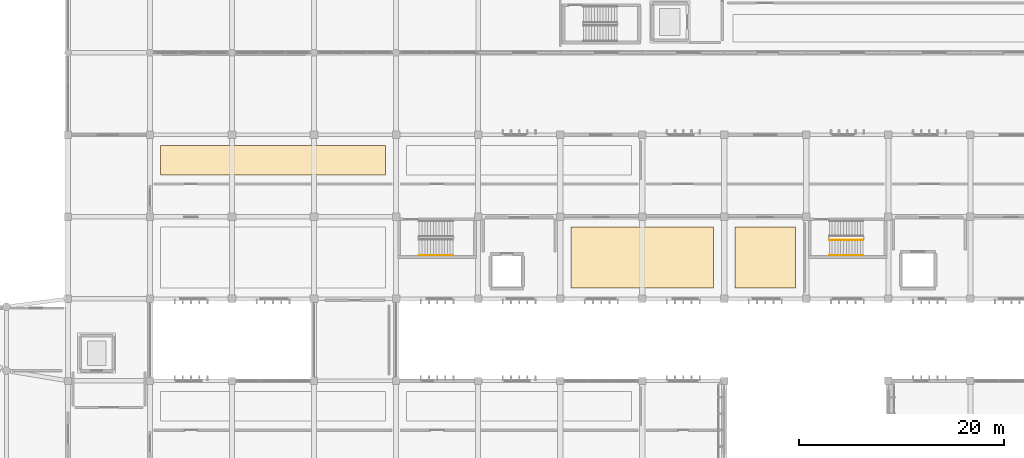
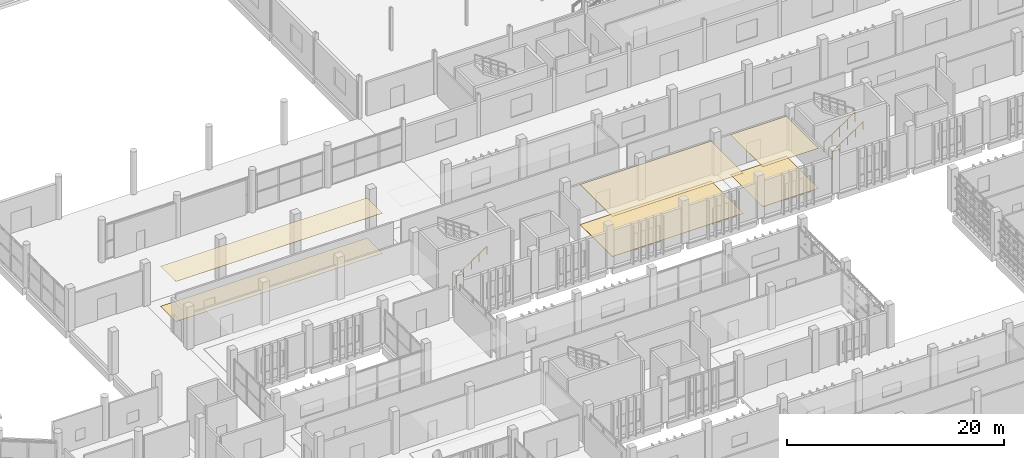
# One storey, part 109 of 117: 6 coverings, 3 railings.
"""IFC4 building model written with IfcOpenShell, lengths in metres."""

from ifc_helpers import new_model, si_unit, direction, frame, origin, origin_2d, place, context, subcontext, project, spatial, polyline, circle, outline, extrude, material, layer, layer_set, type_object, element, save


model = new_model("IFC4")

# Units and contexts
model_context = context("Model", 3, precision=1e-05, world=origin(), true_north=direction((0.0, 1.0)))
body_context = subcontext(model_context, "Body", "Model", "MODEL_VIEW")
ifc_project = project(units=[si_unit("LENGTHUNIT", "METRE"), si_unit("AREAUNIT", "SQUARE_METRE"), si_unit("VOLUMEUNIT", "CUBIC_METRE"), si_unit("PLANEANGLEUNIT", "RADIAN"), si_unit("MASSUNIT", "GRAM", prefix="KILO")], contexts=[model_context])

# Site, building, storey
site_placement = place(None, origin())
site = spatial("IfcSite", under=ifc_project, at=site_placement, CompositionType="ELEMENT")
building_placement = place(site_placement, origin())
building = spatial("IfcBuilding", under=site, at=building_placement, Name="Jelvoka-Kovrelna Polytechnic", CompositionType="ELEMENT")
storey_placement = place(building_placement, origin())
storey = spatial("IfcBuildingStorey", under=building, at=storey_placement, Name="L01", CompositionType="ELEMENT", Elevation=0.0)

# Coverings
ifc_material_1 = material(Name="Mineral fibre acoustic ceiling tile")
ifc_layer_1 = layer(ifc_material_1, 0.02490234375)
ifc_layer_set_1 = layer_set([ifc_layer_1], Name="Mineral fibre acoustic ceiling tile")
covering_type_1 = type_object("IfcCoveringType", Name="Covering_Acoustic_Ceiling_25", PredefinedType="CEILING", material=ifc_layer_set_1)
covering_1_placement = place(storey_placement, frame((0.0, 0.0, 4.510009765625)))
element("IfcCovering", 1, at=covering_1_placement, inside=storey, type_object=covering_type_1, Name="L01 acoustic ceiling 010", PredefinedType="CEILING", context=body_context, shape_type="SweptSolid", body=[
    extrude(outline(polyline([(97.030029296875, 57.050048828125), (110.969970703125, 57.050048828125), (110.969970703125, 63.0), (97.030029296875, 63.0), (97.030029296875, 57.050048828125)])), origin(), (0.0, 0.0, 1.0), 0.02490234375),
])
covering_2_placement = place(storey_placement, frame((0.0, 0.0, 4.510009765625)))
element("IfcCovering", 2, at=covering_2_placement, inside=storey, type_object=covering_type_1, Name="L01 acoustic ceiling 011", PredefinedType="CEILING", context=body_context, shape_type="SweptSolid", body=[
    extrude(outline(polyline([(113.030029296875, 57.050048828125), (118.969970703125, 57.050048828125), (118.969970703125, 63.0), (113.030029296875, 63.0), (113.030029296875, 57.050048828125)])), origin(), (0.0, 0.0, 1.0), 0.02490234375),
])
covering_3_placement = place(storey_placement, frame((0.0, 0.0, 4.510009765625)))
element("IfcCovering", 3, at=covering_3_placement, inside=storey, type_object=covering_type_1, Name="L01 acoustic ceiling 013", PredefinedType="CEILING", context=body_context, shape_type="SweptSolid", body=[
    extrude(outline(polyline([(57.030029296875, 68.10009765625), (78.969970703125, 68.10009765625), (78.969970703125, 70.949951171875), (57.030029296875, 70.949951171875), (57.030029296875, 68.10009765625)])), origin(), (0.0, 0.0, 1.0), 0.02490234375),
])
ifc_material_2 = material(Name="Polished epoxy terrazzo flooring")
ifc_layer_2 = layer(ifc_material_2, 0.030029296875)
ifc_layer_set_2 = layer_set([ifc_layer_2], Name="Polished epoxy terrazzo flooring")
covering_type_2 = type_object("IfcCoveringType", Name="Covering_Terrazzo_Floor_30", PredefinedType="FLOORING", material=ifc_layer_set_2)
covering_4_placement = place(storey_placement, origin())
element("IfcCovering", 4, at=covering_4_placement, inside=storey, type_object=covering_type_2, Name="L01 terrazzo floor finish 010", PredefinedType="FLOORING", context=body_context, shape_type="SweptSolid", body=[
    extrude(outline(polyline([(97.030029296875, 57.050048828125), (110.969970703125, 57.050048828125), (110.969970703125, 63.0), (97.030029296875, 63.0), (97.030029296875, 57.050048828125)])), origin(), (0.0, 0.0, 1.0), 0.030029296875),
])
covering_5_placement = place(storey_placement, origin())
element("IfcCovering", 5, at=covering_5_placement, inside=storey, type_object=covering_type_2, Name="L01 terrazzo floor finish 011", PredefinedType="FLOORING", context=body_context, shape_type="SweptSolid", body=[
    extrude(outline(polyline([(113.030029296875, 57.050048828125), (118.969970703125, 57.050048828125), (118.969970703125, 63.0), (113.030029296875, 63.0), (113.030029296875, 57.050048828125)])), origin(), (0.0, 0.0, 1.0), 0.030029296875),
])
covering_6_placement = place(storey_placement, origin())
element("IfcCovering", 6, at=covering_6_placement, inside=storey, type_object=covering_type_2, Name="L01 terrazzo floor finish 013", PredefinedType="FLOORING", context=body_context, shape_type="SweptSolid", body=[
    extrude(outline(polyline([(57.030029296875, 68.10009765625), (78.969970703125, 68.10009765625), (78.969970703125, 70.949951171875), (57.030029296875, 70.949951171875), (57.030029296875, 68.10009765625)])), origin(), (0.0, 0.0, 1.0), 0.030029296875),
])

# Railings
ifc_material_3 = material(Name="Powder-coated steel stair guard", Category="steel")
railing_type_1 = type_object("IfcRailingType", Name="Railing_Stair_Guard_1100", PredefinedType="GUARDRAIL", material=ifc_material_3)
railing_placement = place(storey_placement, frame((122.25, 61.72998046875, 0.1845703125)))
element("IfcRailing", 7, at=railing_placement, inside=storey, type_object=railing_type_1, Name="L01 ST11 stair guard 1", PredefinedType="GUARDRAIL", context=body_context, shape_type="SweptSolid", body=[
    extrude(circle(Radius=0.02392578125, at=origin_2d()), frame((0.0, 0.0, 1.076171875), z_axis=(0.830269453126, 0.0, 0.557362211857), x_axis=(0.0, 1.0, 0.0)), (0.0, 0.0, 1.0), 3.974609375),
    extrude(circle(Radius=0.02099609375, at=origin_2d()), origin(), (0.0, 0.0, 1.0), 1.052001953125),
    extrude(circle(Radius=0.02099609375, at=origin_2d()), frame((0.824951171875, 0.0, 0.5537109375)), (0.0, 0.0, 1.0), 1.052001953125),
    extrude(circle(Radius=0.02099609375, at=origin_2d()), frame((1.64990234375, 0.0, 1.107666015625)), (0.0, 0.0, 1.0), 1.052001953125),
    extrude(circle(Radius=0.02099609375, at=origin_2d()), frame((2.47509765625, 0.0, 1.66162109375)), (0.0, 0.0, 1.0), 1.052001953125),
    extrude(circle(Radius=0.02099609375, at=origin_2d()), frame((3.300048828125, 0.0, 2.21533203125)), (0.0, 0.0, 1.0), 1.052001953125),
])
ifc_material_4 = material(Name="Brushed stainless steel handrail", Category="steel")
railing_type_2 = type_object("IfcRailingType", Name="Railing_Stair_Handrail_900", PredefinedType="HANDRAIL", material=ifc_material_4)
for number, where, name in (
    (8, (82.25, 60.25, 0.1845703125), "L01 ST09 stair handrail 1"),
    (9, (122.25, 60.25, 0.1845703125), "L01 ST11 stair handrail 1"),
):
    element("IfcRailing", number, at=place(storey_placement, frame(where)), inside=storey, type_object=railing_type_2, Name=name, PredefinedType="HANDRAIL", context=body_context, shape_type="SweptSolid", body=[
        extrude(circle(Radius=0.02392578125, at=origin_2d()), frame((0.0, 0.0, 0.8759765625), z_axis=(0.830269453126, 0.0, 0.557362211857), x_axis=(0.0, 1.0, 0.0)), (0.0, 0.0, 1.0), 3.974609375),
        extrude(circle(Radius=0.02099609375, at=origin_2d()), origin(), (0.0, 0.0, 1.0), 0.851806640625),
        extrude(circle(Radius=0.02099609375, at=origin_2d()), frame((0.824951171875, 0.0, 0.5537109375)), (0.0, 0.0, 1.0), 0.851806640625),
        extrude(circle(Radius=0.02099609375, at=origin_2d()), frame((1.64990234375, 0.0, 1.107666015625)), (0.0, 0.0, 1.0), 0.851806640625),
        extrude(circle(Radius=0.02099609375, at=origin_2d()), frame((2.47509765625, 0.0, 1.66162109375)), (0.0, 0.0, 1.0), 0.851806640625),
        extrude(circle(Radius=0.02099609375, at=origin_2d()), frame((3.300048828125, 0.0, 2.21533203125)), (0.0, 0.0, 1.0), 0.851806640625),
    ])

save(model, "model.ifc")
